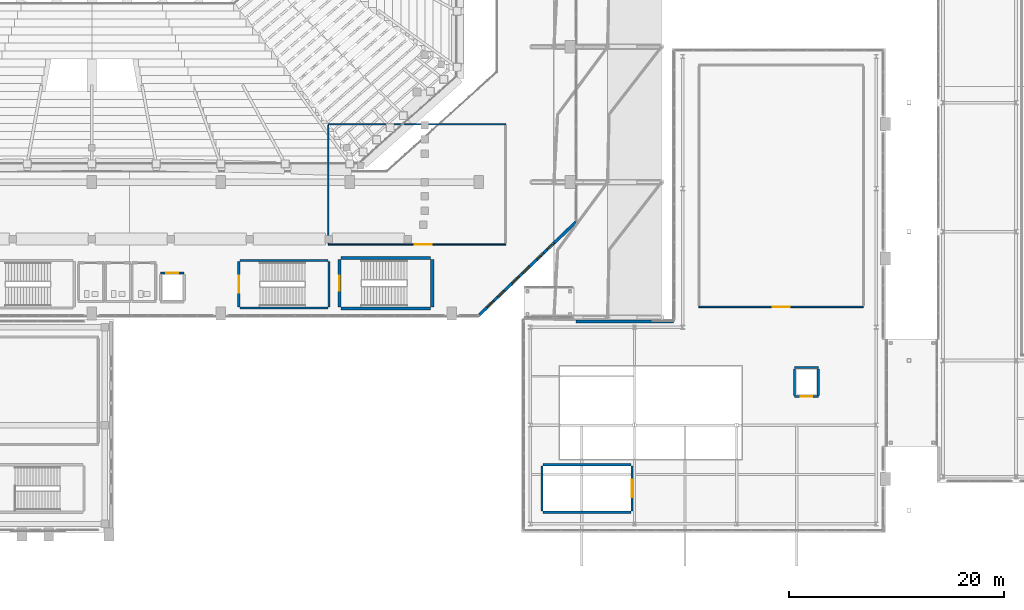
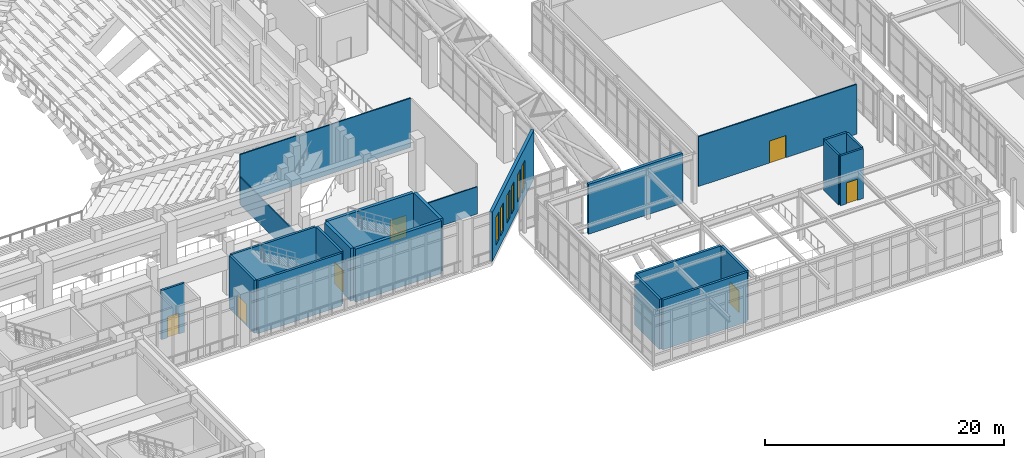
# One storey, part 127 of 159: 23 walls, 7 doors, 6 windows, 13 openings.
"""IFC4 building model written with IfcOpenShell, lengths in metres."""

from ifc_helpers import new_model, si_unit, derived_unit, direction, frame, frame_2d, origin, place, context, subcontext, project, spatial, rectangle, extrude, material, layer, layer_set, type_object, element, fill, save


model = new_model("IFC4")

# Units and contexts
model_context = context("Model", 3, precision=1e-05, world=origin(), true_north=direction((0.0, 1.0)))
body_context = subcontext(model_context, "Body", "Model", "MODEL_VIEW")
ifc_project = project(units=[si_unit("LENGTHUNIT", "METRE"), si_unit("AREAUNIT", "SQUARE_METRE"), si_unit("VOLUMEUNIT", "CUBIC_METRE"), si_unit("PLANEANGLEUNIT", "RADIAN"), si_unit("MASSUNIT", "GRAM", prefix="KILO"), derived_unit("THERMALTRANSMITTANCEUNIT", [(si_unit("MASSUNIT", "GRAM", prefix="KILO"), 1), (si_unit("TIMEUNIT", "SECOND"), -3), (si_unit("THERMODYNAMICTEMPERATUREUNIT", "KELVIN"), -1)])], contexts=[model_context])

# Site, building, storey
site_placement = place(None, origin())
site = spatial("IfcSite", under=ifc_project, at=site_placement, CompositionType="ELEMENT")
building_placement = place(site_placement, origin())
building = spatial("IfcBuilding", under=site, at=building_placement, Name="Valcora Ridge Arena", CompositionType="ELEMENT")
storey_placement = place(building_placement, frame((0.0, 0.0, 6.0)))
storey = spatial("IfcBuildingStorey", under=building, at=storey_placement, Name="L01", CompositionType="ELEMENT", Elevation=6.0)

# Wall, openings, windows
ifc_material_1 = material(Name="Bush-hammered Andean travertine on concrete backup C40/50", Category="masonry")
ifc_layer_1 = layer(ifc_material_1, 0.280029296875, Name="Bush-hammered Andean travertine on concrete backup C40/50")
ifc_layer_set_1 = layer_set([ifc_layer_1], Name="Bush-hammered Andean travertine on concrete backup C40/50")
wall_type_1 = type_object("IfcWallType", Name="TY-WALL-EW-TRV-28-50", PredefinedType="STANDARD", material=ifc_layer_set_1)
wall_1_placement = place(storey_placement, frame((94.0, 20.199951171875, 0.0), z_axis=(0.0, 0.0, 1.0), x_axis=(0.72091340775, 0.693025149995, 0.0)))
wall_1 = element("IfcWall", 1, at=wall_1_placement, inside=storey, type_object=wall_type_1, Name="EW-TRV-28-50 WAL-EW-0045", PredefinedType="STANDARD", context=body_context, shape_type="SweptSolid", body=[
    extrude(rectangle(XDim=12.553466796875, YDim=0.280029296875, at=frame_2d((6.27685546875, 0.0))), origin(), (0.0, 0.0, 1.0), 5.0400390625),
])
opening_1_placement = place(wall_1_placement, frame((1.10009765625, 0.0, 0.949951171875)))
opening_1 = element("IfcOpeningElement", 2, at=opening_1_placement, cuts=wall_1, Name="Opening W-GLAN-90X285", PredefinedType="OPENING", context=body_context, shape_type="SweptSolid", body=[
    extrude(rectangle(XDim=0.89990234375, YDim=2.85009765625, at=frame_2d((0.449951171875, 1.425048828125))), frame((0.0, 0.14990234375, 0.0), z_axis=(0.0, -1.0, 0.0), x_axis=(1.0, 0.0, 0.0)), (0.0, 0.0, 1.0), 0.300048828125),
])
opening_2_placement = place(wall_1_placement, frame((2.449951171875, 0.0, 0.949951171875)))
opening_2 = element("IfcOpeningElement", 3, at=opening_2_placement, cuts=wall_1, Name="Opening W-GLAN-90X285", PredefinedType="OPENING", context=body_context, shape_type="SweptSolid", body=[
    extrude(rectangle(XDim=0.89990234375, YDim=2.85009765625, at=frame_2d((0.449951171875, 1.425048828125))), frame((0.0, 0.14990234375, 0.0), z_axis=(0.0, -1.0, 0.0), x_axis=(1.0, 0.0, 0.0)), (0.0, 0.0, 1.0), 0.300048828125),
])
opening_3_placement = place(wall_1_placement, frame((4.300048828125, 0.0, 0.949951171875)))
opening_3 = element("IfcOpeningElement", 4, at=opening_3_placement, cuts=wall_1, Name="Opening W-GLAN-90X285", PredefinedType="OPENING", context=body_context, shape_type="SweptSolid", body=[
    extrude(rectangle(XDim=0.89990234375, YDim=2.85009765625, at=frame_2d((0.449951171875, 1.425048828125))), frame((0.0, 0.14990234375, 0.0), z_axis=(0.0, -1.0, 0.0), x_axis=(1.0, 0.0, 0.0)), (0.0, 0.0, 1.0), 0.300048828125),
])
opening_4_placement = place(wall_1_placement, frame((5.64990234375, 0.0, 0.949951171875)))
opening_4 = element("IfcOpeningElement", 5, at=opening_4_placement, cuts=wall_1, Name="Opening W-GLAN-90X285", PredefinedType="OPENING", context=body_context, shape_type="SweptSolid", body=[
    extrude(rectangle(XDim=0.89990234375, YDim=2.85009765625, at=frame_2d((0.449951171875, 1.425048828125))), frame((0.0, 0.14990234375, 0.0), z_axis=(0.0, -1.0, 0.0), x_axis=(1.0, 0.0, 0.0)), (0.0, 0.0, 1.0), 0.300048828125),
])
opening_5_placement = place(wall_1_placement, frame((7.5, 0.0, 0.949951171875)))
opening_5 = element("IfcOpeningElement", 6, at=opening_5_placement, cuts=wall_1, Name="Opening W-GLAN-90X285", PredefinedType="OPENING", context=body_context, shape_type="SweptSolid", body=[
    extrude(rectangle(XDim=0.89990234375, YDim=2.85009765625, at=frame_2d((0.449951171875, 1.425048828125))), frame((0.0, 0.14990234375, 0.0), z_axis=(0.0, -1.0, 0.0), x_axis=(1.0, 0.0, 0.0)), (0.0, 0.0, 1.0), 0.300048828125),
])
opening_6_placement = place(wall_1_placement, frame((8.85009765625, 0.0, 0.949951171875)))
opening_6 = element("IfcOpeningElement", 7, at=opening_6_placement, cuts=wall_1, Name="Opening W-GLAN-90X285", PredefinedType="OPENING", context=body_context, shape_type="SweptSolid", body=[
    extrude(rectangle(XDim=0.89990234375, YDim=2.85009765625, at=frame_2d((0.449951171875, 1.425048828125))), frame((0.0, 0.14990234375, 0.0), z_axis=(0.0, -1.0, 0.0), x_axis=(1.0, 0.0, 0.0)), (0.0, 0.0, 1.0), 0.300048828125),
])
ifc_material_2 = material(Name="Low-iron solar-control double glazing SHGC 0.28", Category="glass")
window_type = type_object("IfcWindowType", Name="TY-WINDOW-W-GLAN-90X285", PartitioningType="DOUBLE_PANEL_VERTICAL", PredefinedType="WINDOW", material=ifc_material_2)
window_1_placement = place(opening_1_placement, origin())
window_1 = element("IfcWindow", 8, at=window_1_placement, inside=storey, type_object=window_type, Name="W-GLAN-90X285 WIN-EX-0092", OverallHeight=2.85009765625, OverallWidth=0.89990234375, PartitioningType="DOUBLE_PANEL_VERTICAL", PredefinedType="WINDOW", context=body_context, shape_type="SweptSolid", body=[
    extrude(rectangle(XDim=0.89990234375, YDim=2.85009765625, at=frame_2d((0.449951171875, 1.425048828125))), frame((0.0, 0.030029296875, 0.0), z_axis=(0.0, -1.0, 0.0), x_axis=(1.0, 0.0, 0.0)), (0.0, 0.0, 1.0), 0.06005859375),
])
fill(opening_1, window_1)
window_2_placement = place(opening_2_placement, origin())
window_2 = element("IfcWindow", 9, at=window_2_placement, inside=storey, type_object=window_type, Name="W-GLAN-90X285 WIN-EX-0093", OverallHeight=2.85009765625, OverallWidth=0.89990234375, PartitioningType="DOUBLE_PANEL_VERTICAL", PredefinedType="WINDOW", context=body_context, shape_type="SweptSolid", body=[
    extrude(rectangle(XDim=0.89990234375, YDim=2.85009765625, at=frame_2d((0.449951171875, 1.425048828125))), frame((0.0, 0.030029296875, 0.0), z_axis=(0.0, -1.0, 0.0), x_axis=(1.0, 0.0, 0.0)), (0.0, 0.0, 1.0), 0.06005859375),
])
fill(opening_2, window_2)
window_3_placement = place(opening_3_placement, origin())
window_3 = element("IfcWindow", 10, at=window_3_placement, inside=storey, type_object=window_type, Name="W-GLAN-90X285 WIN-EX-0094", OverallHeight=2.85009765625, OverallWidth=0.89990234375, PartitioningType="DOUBLE_PANEL_VERTICAL", PredefinedType="WINDOW", context=body_context, shape_type="SweptSolid", body=[
    extrude(rectangle(XDim=0.89990234375, YDim=2.85009765625, at=frame_2d((0.449951171875, 1.425048828125))), frame((0.0, 0.030029296875, 0.0), z_axis=(0.0, -1.0, 0.0), x_axis=(1.0, 0.0, 0.0)), (0.0, 0.0, 1.0), 0.06005859375),
])
fill(opening_3, window_3)
window_4_placement = place(opening_4_placement, origin())
window_4 = element("IfcWindow", 11, at=window_4_placement, inside=storey, type_object=window_type, Name="W-GLAN-90X285 WIN-EX-0095", OverallHeight=2.85009765625, OverallWidth=0.89990234375, PartitioningType="DOUBLE_PANEL_VERTICAL", PredefinedType="WINDOW", context=body_context, shape_type="SweptSolid", body=[
    extrude(rectangle(XDim=0.89990234375, YDim=2.85009765625, at=frame_2d((0.449951171875, 1.425048828125))), frame((0.0, 0.030029296875, 0.0), z_axis=(0.0, -1.0, 0.0), x_axis=(1.0, 0.0, 0.0)), (0.0, 0.0, 1.0), 0.06005859375),
])
fill(opening_4, window_4)
window_5_placement = place(opening_5_placement, origin())
window_5 = element("IfcWindow", 12, at=window_5_placement, inside=storey, type_object=window_type, Name="W-GLAN-90X285 WIN-EX-0096", OverallHeight=2.85009765625, OverallWidth=0.89990234375, PartitioningType="DOUBLE_PANEL_VERTICAL", PredefinedType="WINDOW", context=body_context, shape_type="SweptSolid", body=[
    extrude(rectangle(XDim=0.89990234375, YDim=2.85009765625, at=frame_2d((0.449951171875, 1.425048828125))), frame((0.0, 0.030029296875, 0.0), z_axis=(0.0, -1.0, 0.0), x_axis=(1.0, 0.0, 0.0)), (0.0, 0.0, 1.0), 0.06005859375),
])
fill(opening_5, window_5)
window_6_placement = place(opening_6_placement, origin())
window_6 = element("IfcWindow", 13, at=window_6_placement, inside=storey, type_object=window_type, Name="W-GLAN-90X285 WIN-EX-0097", OverallHeight=2.85009765625, OverallWidth=0.89990234375, PartitioningType="DOUBLE_PANEL_VERTICAL", PredefinedType="WINDOW", context=body_context, shape_type="SweptSolid", body=[
    extrude(rectangle(XDim=0.89990234375, YDim=2.85009765625, at=frame_2d((0.449951171875, 1.425048828125))), frame((0.0, 0.030029296875, 0.0), z_axis=(0.0, -1.0, 0.0), x_axis=(1.0, 0.0, 0.0)), (0.0, 0.0, 1.0), 0.06005859375),
])
fill(opening_6, window_6)

# Wall
ifc_layer_2 = layer(ifc_material_1, 0.280029296875, Name="Bush-hammered Andean travertine on concrete backup C40/50")
ifc_layer_set_2 = layer_set([ifc_layer_2], Name="Bush-hammered Andean travertine on concrete backup C40/50")
wall_type_2 = type_object("IfcWallType", Name="TY-WALL-EW-TRV-28-51", PredefinedType="STANDARD", material=ifc_layer_set_2)
wall_2_placement = place(storey_placement, frame((103.050048828125, 19.64990234375, 0.0), z_axis=(0.0, 0.0, 1.0), x_axis=(1.0, 0.0, 0.0)))
element("IfcWall", 14, at=wall_2_placement, inside=storey, type_object=wall_type_2, Name="EW-TRV-28-51 WAL-EW-0005", PredefinedType="STANDARD", context=body_context, shape_type="SweptSolid", body=[
    extrude(rectangle(XDim=9.099853515625, YDim=0.280029296875, at=frame_2d((4.5498046875, 0.0))), origin(), (0.0, 0.0, 1.0), 5.10009765625),
])

# Wall, opening, door
ifc_material_3 = material(Name="Acoustic metal-stud gypsum partition 120 mm")
ifc_layer_3 = layer(ifc_material_3, 0.1201171875, Name="Acoustic metal-stud gypsum partition 120 mm")
ifc_layer_set_3 = layer_set([ifc_layer_3], Name="Acoustic metal-stud gypsum partition 120 mm")
wall_type_3 = type_object("IfcWallType", Name="TY-WALL-IW-PART-120", PredefinedType="PARTITIONING", material=ifc_layer_set_3)
wall_3_placement = place(storey_placement, frame((80.0, 26.800048828125, 0.0), z_axis=(0.0, 0.0, 1.0), x_axis=(1.0, 0.0, 0.0)))
wall_3 = element("IfcWall", 15, at=wall_3_placement, inside=storey, type_object=wall_type_3, Name="IW-PART-120 WAL-IN-0289", PredefinedType="PARTITIONING", context=body_context, shape_type="SweptSolid", body=[
    extrude(rectangle(XDim=16.5, YDim=0.1201171875, at=frame_2d((8.25, 0.0))), origin(), (0.0, 0.0, 1.0), 2.77490234375),
])
opening_7_placement = place(wall_3_placement, frame((8.050048828125, 0.0, 0.0)))
opening_7 = element("IfcOpeningElement", 16, at=opening_7_placement, cuts=wall_3, Name="Opening D-PUB-1600", PredefinedType="OPENING", context=body_context, shape_type="SweptSolid", body=[
    extrude(rectangle(XDim=1.60009765625, YDim=2.25, at=frame_2d((0.800048828125, 1.125))), frame((0.0, 0.070068359375, 0.0), z_axis=(0.0, -1.0, 0.0), x_axis=(1.0, 0.0, 0.0)), (0.0, 0.0, 1.0), 0.14013671875),
])
ifc_material_4 = material(Name="Solid-core acoustic timber veneer door leaf", Category="wood")
door_type_1 = type_object("IfcDoorType", Name="TY-DOOR-D-PUB-1600", OperationType="NOTDEFINED", PredefinedType="DOOR", material=ifc_material_4)
door_1_placement = place(opening_7_placement, origin())
door_1 = element("IfcDoor", 17, at=door_1_placement, inside=storey, type_object=door_type_1, Name="D-PUB-1600 DOR-IN-0077", OperationType="DOUBLE_DOOR_SINGLE_SWING", OverallHeight=2.25, OverallWidth=1.60009765625, PredefinedType="DOOR", context=body_context, shape_type="SweptSolid", body=[
    extrude(rectangle(XDim=1.60009765625, YDim=2.25, at=frame_2d((0.800048828125, 1.125))), frame((0.0, 0.02490234375, 0.0), z_axis=(0.0, -1.0, 0.0), x_axis=(1.0, 0.0, 0.0)), (0.0, 0.0, 1.0), 0.050048828125),
])
fill(opening_7, door_1)

# Walls
wall_4_placement = place(storey_placement, frame((80.0, 38.0, 0.0), z_axis=(0.0, 0.0, 1.0), x_axis=(1.0, 0.0, 0.0)))
element("IfcWall", 18, at=wall_4_placement, inside=storey, type_object=wall_type_3, Name="IW-PART-120 WAL-IN-0290", PredefinedType="PARTITIONING", context=body_context, shape_type="SweptSolid", body=[
    extrude(rectangle(XDim=16.5, YDim=0.1201171875, at=frame_2d((8.25, 0.0))), origin(), (0.0, 0.0, 1.0), 5.0400390625),
])
wall_5_placement = place(storey_placement, frame((80.0, 26.919921875, 0.0), z_axis=(0.0, 0.0, 1.0), x_axis=(0.0, 1.0, 0.0)))
element("IfcWall", 19, at=wall_5_placement, inside=storey, type_object=wall_type_3, Name="IW-PART-120 WAL-IN-0291", PredefinedType="PARTITIONING", context=body_context, shape_type="SweptSolid", body=[
    extrude(rectangle(XDim=10.9599609375, YDim=0.1201171875, at=frame_2d((5.47998046875, 0.0))), origin(), (0.0, 0.0, 1.0), 2.77490234375),
])

# Wall, opening, door
wall_6_placement = place(storey_placement, frame((114.5, 21.0, 0.0), z_axis=(0.0, 0.0, 1.0), x_axis=(1.0, 0.0, 0.0)))
wall_6 = element("IfcWall", 20, at=wall_6_placement, inside=storey, type_object=wall_type_3, Name="IW-PART-120 WAL-IN-0313", PredefinedType="PARTITIONING", context=body_context, shape_type="SweptSolid", body=[
    extrude(rectangle(XDim=15.300048828125, YDim=0.1201171875, at=frame_2d((7.64990234375, 0.0))), origin(), (0.0, 0.0, 1.0), 5.10009765625),
])
opening_8_placement = place(wall_6_placement, frame((6.85009765625, 0.0, 0.0)))
opening_8 = element("IfcOpeningElement", 21, at=opening_8_placement, cuts=wall_6, Name="Opening D-PUB-1600", PredefinedType="OPENING", context=body_context, shape_type="SweptSolid", body=[
    extrude(rectangle(XDim=1.60009765625, YDim=2.25, at=frame_2d((0.800048828125, 1.125))), frame((0.0, 0.070068359375, 0.0), z_axis=(0.0, -1.0, 0.0), x_axis=(1.0, 0.0, 0.0)), (0.0, 0.0, 1.0), 0.14013671875),
])
door_2_placement = place(opening_8_placement, origin())
door_2 = element("IfcDoor", 22, at=door_2_placement, inside=storey, type_object=door_type_1, Name="D-PUB-1600 DOR-IN-0083", OperationType="DOUBLE_DOOR_SINGLE_SWING", OverallHeight=2.25, OverallWidth=1.60009765625, PredefinedType="DOOR", context=body_context, shape_type="SweptSolid", body=[
    extrude(rectangle(XDim=1.60009765625, YDim=2.25, at=frame_2d((0.800048828125, 1.125))), frame((0.0, 0.02490234375, 0.0), z_axis=(0.0, -1.0, 0.0), x_axis=(1.0, 0.0, 0.0)), (0.0, 0.0, 1.0), 0.050048828125),
])
fill(opening_8, door_2)

ifc_material_5 = material(Name="Concrete C40/50", Category="concrete")
ifc_layer_4 = layer(ifc_material_5, 0.199951171875, Name="Concrete C40/50")
ifc_layer_set_4 = layer_set([ifc_layer_4], Name="Concrete C40/50")
wall_type_4 = type_object("IfcWallType", Name="TY-WALL-IW-SHF-200", PredefinedType="STANDARD", material=ifc_layer_set_4)
wall_7_placement = place(storey_placement, frame((64.39990234375, 24.14990234375, 0.0), z_axis=(0.0, 0.0, 1.0), x_axis=(1.0, 0.0, 0.0)))
wall_7 = element("IfcWall", 23, at=wall_7_placement, inside=storey, type_object=wall_type_4, Name="IW-SHF-200 WAL-SH-0090", PredefinedType="STANDARD", context=body_context, shape_type="SweptSolid", body=[
    extrude(rectangle(XDim=2.2001953125, YDim=0.199951171875, at=frame_2d((1.10009765625, 0.0))), origin(), (0.0, 0.0, 1.0), 5.0400390625),
])
opening_9_placement = place(wall_7_placement, frame((0.550048828125, 0.0, 0.0)))
opening_9 = element("IfcOpeningElement", 24, at=opening_9_placement, cuts=wall_7, Name="Opening LD-PAX", PredefinedType="OPENING", context=body_context, shape_type="SweptSolid", body=[
    extrude(rectangle(XDim=1.10009765625, YDim=2.14990234375, at=frame_2d((0.550048828125, 1.074951171875))), frame((0.0, 0.10986328125, 0.0), z_axis=(0.0, -1.0, 0.0), x_axis=(1.0, 0.0, 0.0)), (0.0, 0.0, 1.0), 0.219970703125),
])
ifc_material_6 = material(Name="Insulated fire-rated hollow metal steel", Category="steel")
door_type_2 = type_object("IfcDoorType", Name="TY-DOOR-LD-PAX", OperationType="NOTDEFINED", PredefinedType="DOOR", material=ifc_material_6)
door_3_placement = place(opening_9_placement, origin())
door_3 = element("IfcDoor", 25, at=door_3_placement, inside=storey, type_object=door_type_2, Name="PL2 Landing Door L01", OperationType="SLIDING_TO_LEFT", OverallHeight=2.14990234375, OverallWidth=1.10009765625, PredefinedType="DOOR", context=body_context, shape_type="SweptSolid", body=[
    extrude(rectangle(XDim=1.10009765625, YDim=2.14990234375, at=frame_2d((0.550048828125, 1.074951171875))), frame((0.0, 0.02490234375, 0.0), z_axis=(0.0, -1.0, 0.0), x_axis=(1.0, 0.0, 0.0)), (0.0, 0.0, 1.0), 0.050048828125),
])
fill(opening_9, door_3)

wall_8_placement = place(storey_placement, frame((123.39990234375, 12.64990234375, 0.0), z_axis=(0.0, 0.0, 1.0), x_axis=(1.0, 0.0, 0.0)))
wall_8 = element("IfcWall", 26, at=wall_8_placement, inside=storey, type_object=wall_type_4, Name="IW-SHF-200 WAL-SH-0157", PredefinedType="STANDARD", context=body_context, shape_type="SweptSolid", body=[
    extrude(rectangle(XDim=2.2001953125, YDim=0.199951171875, at=frame_2d((1.10009765625, 0.0))), origin(), (0.0, 0.0, 1.0), 5.10009765625),
])
opening_10_placement = place(wall_8_placement, frame((0.550048828125, 0.0, 0.0)))
opening_10 = element("IfcOpeningElement", 27, at=opening_10_placement, cuts=wall_8, Name="Opening LD-PAX", PredefinedType="OPENING", context=body_context, shape_type="SweptSolid", body=[
    extrude(rectangle(XDim=1.10009765625, YDim=2.14990234375, at=frame_2d((0.550048828125, 1.074951171875))), frame((0.0, 0.10986328125, 0.0), z_axis=(0.0, -1.0, 0.0), x_axis=(1.0, 0.0, 0.0)), (0.0, 0.0, 1.0), 0.219970703125),
])
door_4_placement = place(opening_10_placement, origin())
door_4 = element("IfcDoor", 28, at=door_4_placement, inside=storey, type_object=door_type_2, Name="PL5 Landing Door L01", OperationType="SLIDING_TO_LEFT", OverallHeight=2.14990234375, OverallWidth=1.10009765625, PredefinedType="DOOR", context=body_context, shape_type="SweptSolid", body=[
    extrude(rectangle(XDim=1.10009765625, YDim=2.14990234375, at=frame_2d((0.550048828125, 1.074951171875))), frame((0.0, 0.02490234375, 0.0), z_axis=(0.0, -1.0, 0.0), x_axis=(1.0, 0.0, 0.0)), (0.0, 0.0, 1.0), 0.050048828125),
])
fill(opening_10, door_4)

# Walls
wall_9_placement = place(storey_placement, frame((123.39990234375, 15.35009765625, 0.0), z_axis=(0.0, 0.0, 1.0), x_axis=(1.0, 0.0, 0.0)))
element("IfcWall", 29, at=wall_9_placement, inside=storey, type_object=wall_type_4, Name="IW-SHF-200 WAL-SH-0158", PredefinedType="STANDARD", context=body_context, shape_type="SweptSolid", body=[
    extrude(rectangle(XDim=2.2001953125, YDim=0.199951171875, at=frame_2d((1.10009765625, 0.0))), origin(), (0.0, 0.0, 1.0), 5.10009765625),
])
for number, where, z_axis, x_axis, name in (
    (30, (123.39990234375, 12.77001953125, 0.0), (0.0, 0.0, 1.0), (0.0, 1.0, 0.0), "IW-SHF-200 WAL-SH-0159"),
    (31, (125.60009765625, 12.77001953125, 0.0), (0.0, 0.0, 1.0), (0.0, 1.0, 0.0), "IW-SHF-200 WAL-SH-0160"),
):
    element("IfcWall", number, at=place(storey_placement, frame(where, z_axis=z_axis, x_axis=x_axis)), inside=storey, type_object=wall_type_4, Name=name, PredefinedType="STANDARD", context=body_context, shape_type="SweptSolid", body=[
        extrude(rectangle(XDim=2.4599609375, YDim=0.199951171875, at=frame_2d((1.22998046875, 0.0))), origin(), (0.0, 0.0, 1.0), 5.10009765625),
    ])
ifc_material_7 = material(Name="Concrete C45/55", Category="concrete")
ifc_layer_5 = layer(ifc_material_7, 0.300048828125, Name="Concrete C45/55")
ifc_layer_set_5 = layer_set([ifc_layer_5], Name="Concrete C45/55")
wall_type_5 = type_object("IfcWallType", Name="TY-WALL-SW-C300-L", PredefinedType="SHEAR", material=ifc_layer_set_5)
for number, where, z_axis, x_axis, name in (
    (32, (81.199951171875, 20.85009765625, 0.0), (0.0, 0.0, 1.0), (1.0, 0.0, 0.0), "SW-C300-L WAL-CR-0037"),
    (33, (81.199951171875, 25.550048828125, 0.0), (0.0, 0.0, 1.0), (1.0, 0.0, 0.0), "SW-C300-L WAL-CR-0038"),
):
    element("IfcWall", number, at=place(storey_placement, frame(where, z_axis=z_axis, x_axis=x_axis)), inside=storey, type_object=wall_type_5, Name=name, PredefinedType="SHEAR", context=body_context, shape_type="SweptSolid", body=[
        extrude(rectangle(XDim=8.320068359375, YDim=0.300048828125, at=frame_2d((4.16015625, 0.0))), origin(), (0.0, 0.0, 1.0), 5.39990234375),
    ])

# Wall, opening, door
ifc_layer_6 = layer(ifc_material_7, 0.300048828125, Name="Concrete C45/55")
ifc_layer_set_6 = layer_set([ifc_layer_6], Name="Concrete C45/55")
wall_type_6 = type_object("IfcWallType", Name="TY-WALL-SW-C300-S", PredefinedType="SHEAR", material=ifc_layer_set_6)
wall_10_placement = place(storey_placement, frame((81.050048828125, 21.0, 0.0), z_axis=(0.0, 0.0, 1.0), x_axis=(0.0, 1.0, 0.0)))
wall_10 = element("IfcWall", 34, at=wall_10_placement, inside=storey, type_object=wall_type_6, Name="SW-C300-S WAL-CR-0039", PredefinedType="SHEAR", context=body_context, shape_type="SweptSolid", body=[
    extrude(rectangle(XDim=4.39990234375, YDim=0.300048828125, at=frame_2d((2.199951171875, 0.0))), origin(), (0.0, 0.0, 1.0), 5.39990234375),
])
opening_11_placement = place(wall_10_placement, frame((1.5, 0.0, 0.0)))
opening_11 = element("IfcOpeningElement", 35, at=opening_11_placement, cuts=wall_10, Name="Opening FD-01", PredefinedType="OPENING", context=body_context, shape_type="SweptSolid", body=[
    extrude(rectangle(XDim=1.39990234375, YDim=2.199951171875, at=frame_2d((0.699951171875, 1.10009765625))), frame((0.0, 0.159912109375, 0.0), z_axis=(0.0, -1.0, 0.0), x_axis=(1.0, 0.0, 0.0)), (0.0, 0.0, 1.0), 0.320068359375),
])
ifc_material_8 = material(Name="Insulated fire-rated steel door leaf", Category="steel")
door_type_3 = type_object("IfcDoorType", Name="TY-DOOR-FD-01", OperationType="NOTDEFINED", PredefinedType="DOOR", material=ifc_material_8)
door_5_placement = place(opening_11_placement, origin())
door_5 = element("IfcDoor", 36, at=door_5_placement, inside=storey, type_object=door_type_3, Name="FD-01 DOR-ST-0010", OperationType="DOUBLE_DOOR_SINGLE_SWING", OverallHeight=2.199951171875, OverallWidth=1.39990234375, PredefinedType="DOOR", context=body_context, shape_type="SweptSolid", body=[
    extrude(rectangle(XDim=1.39990234375, YDim=2.199951171875, at=frame_2d((0.699951171875, 1.10009765625))), frame((0.0, 0.02490234375, 0.0), z_axis=(0.0, -1.0, 0.0), x_axis=(1.0, 0.0, 0.0)), (0.0, 0.0, 1.0), 0.050048828125),
])
fill(opening_11, door_5)

# Walls
wall_11_placement = place(storey_placement, frame((89.669921875, 21.0, 0.0), z_axis=(0.0, 0.0, 1.0), x_axis=(0.0, 1.0, 0.0)))
element("IfcWall", 37, at=wall_11_placement, inside=storey, type_object=wall_type_6, Name="SW-C300-S WAL-CR-0040", PredefinedType="SHEAR", context=body_context, shape_type="SweptSolid", body=[
    extrude(rectangle(XDim=4.39990234375, YDim=0.300048828125, at=frame_2d((2.199951171875, 0.0))), origin(), (0.0, 0.0, 1.0), 5.39990234375),
])
ifc_material_9 = material(Name="Fire-resisting reinforced concrete enclosure C40/50 200 mm", Category="concrete")
ifc_layer_7 = layer(ifc_material_9, 0.219970703125, Name="Fire-resisting reinforced concrete enclosure C40/50 200 mm")
ifc_layer_set_7 = layer_set([ifc_layer_7], Name="Fire-resisting reinforced concrete enclosure C40/50 200 mm")
wall_type_7 = type_object("IfcWallType", Name="TY-WALL-SW-ES-220", PredefinedType="SHEAR", material=ifc_layer_set_7)
for number, where, z_axis, x_axis, name in (
    (38, (71.800048828125, 20.889892578125, 0.0), (0.0, 0.0, 1.0), (1.0, 0.0, 0.0), "SW-ES-220 WAL-ES-0033"),
    (39, (71.800048828125, 25.31005859375, 0.0), (0.0, 0.0, 1.0), (1.0, 0.0, 0.0), "SW-ES-220 WAL-ES-0034"),
):
    element("IfcWall", number, at=place(storey_placement, frame(where, z_axis=z_axis, x_axis=x_axis)), inside=storey, type_object=wall_type_7, Name=name, PredefinedType="SHEAR", context=body_context, shape_type="SweptSolid", body=[
        extrude(rectangle(XDim=8.159912109375, YDim=0.219970703125, at=frame_2d((4.080078125, 0.0))), origin(), (0.0, 0.0, 1.0), 5.39990234375),
    ])

# Wall, opening, door
wall_12_placement = place(storey_placement, frame((71.68994140625, 21.0, 0.0), z_axis=(0.0, 0.0, 1.0), x_axis=(0.0, 1.0, 0.0)))
wall_12 = element("IfcWall", 40, at=wall_12_placement, inside=storey, type_object=wall_type_7, Name="SW-ES-220 WAL-ES-0035", PredefinedType="SHEAR", context=body_context, shape_type="SweptSolid", body=[
    extrude(rectangle(XDim=4.199951171875, YDim=0.219970703125, at=frame_2d((2.10009765625, 0.0))), origin(), (0.0, 0.0, 1.0), 5.39990234375),
])
opening_12_placement = place(wall_12_placement, frame((1.300048828125, 0.0, 0.0)))
opening_12 = element("IfcOpeningElement", 41, at=opening_12_placement, cuts=wall_12, Name="Opening FD-02", PredefinedType="OPENING", context=body_context, shape_type="SweptSolid", body=[
    extrude(rectangle(XDim=1.60009765625, YDim=2.199951171875, at=frame_2d((0.800048828125, 1.10009765625))), frame((0.0, 0.119873046875, 0.0), z_axis=(0.0, -1.0, 0.0), x_axis=(1.0, 0.0, 0.0)), (0.0, 0.0, 1.0), 0.239990234375),
])
door_type_4 = type_object("IfcDoorType", Name="TY-DOOR-FD-02", OperationType="NOTDEFINED", PredefinedType="DOOR", material=ifc_material_8)
door_6_placement = place(opening_12_placement, origin())
door_6 = element("IfcDoor", 42, at=door_6_placement, inside=storey, type_object=door_type_4, Name="FD-02 DOR-ES-0007", OperationType="DOUBLE_DOOR_SINGLE_SWING", OverallHeight=2.199951171875, OverallWidth=1.60009765625, PredefinedType="DOOR", context=body_context, shape_type="SweptSolid", body=[
    extrude(rectangle(XDim=1.60009765625, YDim=2.199951171875, at=frame_2d((0.800048828125, 1.10009765625))), frame((0.0, 0.02490234375, 0.0), z_axis=(0.0, -1.0, 0.0), x_axis=(1.0, 0.0, 0.0)), (0.0, 0.0, 1.0), 0.050048828125),
])
fill(opening_12, door_6)

# Walls
wall_13_placement = place(storey_placement, frame((80.070068359375, 21.0, 0.0), z_axis=(0.0, 0.0, 1.0), x_axis=(0.0, 1.0, 0.0)))
element("IfcWall", 43, at=wall_13_placement, inside=storey, type_object=wall_type_7, Name="SW-ES-220 WAL-ES-0036", PredefinedType="SHEAR", context=body_context, shape_type="SweptSolid", body=[
    extrude(rectangle(XDim=4.199951171875, YDim=0.219970703125, at=frame_2d((2.10009765625, 0.0))), origin(), (0.0, 0.0, 1.0), 5.39990234375),
])
for number, where, z_axis, x_axis, name in (
    (44, (100.0, 1.889892578125, 0.0), (0.0, 0.0, 1.0), (1.0, 0.0, 0.0), "SW-ES-220 WAL-ES-0209"),
    (45, (100.0, 6.31005859375, 0.0), (0.0, 0.0, 1.0), (1.0, 0.0, 0.0), "SW-ES-220 WAL-ES-0210"),
):
    element("IfcWall", number, at=place(storey_placement, frame(where, z_axis=z_axis, x_axis=x_axis)), inside=storey, type_object=wall_type_7, Name=name, PredefinedType="SHEAR", context=body_context, shape_type="SweptSolid", body=[
        extrude(rectangle(XDim=8.159912109375, YDim=0.219970703125, at=frame_2d((4.080078125, 0.0))), origin(), (0.0, 0.0, 1.0), 5.10009765625),
    ])
wall_14_placement = place(storey_placement, frame((99.889892578125, 2.0, 0.0), z_axis=(0.0, 0.0, 1.0), x_axis=(0.0, 1.0, 0.0)))
element("IfcWall", 46, at=wall_14_placement, inside=storey, type_object=wall_type_7, Name="SW-ES-220 WAL-ES-0211", PredefinedType="SHEAR", context=body_context, shape_type="SweptSolid", body=[
    extrude(rectangle(XDim=4.199951171875, YDim=0.219970703125, at=frame_2d((2.10009765625, 0.0))), origin(), (0.0, 0.0, 1.0), 5.10009765625),
])

# Wall, opening, door
wall_15_placement = place(storey_placement, frame((108.27001953125, 2.0, 0.0), z_axis=(0.0, 0.0, 1.0), x_axis=(0.0, 1.0, 0.0)))
wall_15 = element("IfcWall", 47, at=wall_15_placement, inside=storey, type_object=wall_type_7, Name="SW-ES-220 WAL-ES-0212", PredefinedType="SHEAR", context=body_context, shape_type="SweptSolid", body=[
    extrude(rectangle(XDim=4.199951171875, YDim=0.219970703125, at=frame_2d((2.10009765625, 0.0))), origin(), (0.0, 0.0, 1.0), 5.10009765625),
])
opening_13_placement = place(wall_15_placement, frame((1.300048828125, 0.0, 0.0)))
opening_13 = element("IfcOpeningElement", 48, at=opening_13_placement, cuts=wall_15, Name="Opening FD-02", PredefinedType="OPENING", context=body_context, shape_type="SweptSolid", body=[
    extrude(rectangle(XDim=1.60009765625, YDim=2.199951171875, at=frame_2d((0.800048828125, 1.10009765625))), frame((0.0, 0.119873046875, 0.0), z_axis=(0.0, -1.0, 0.0), x_axis=(1.0, 0.0, 0.0)), (0.0, 0.0, 1.0), 0.239990234375),
])
door_7_placement = place(opening_13_placement, origin())
door_7 = element("IfcDoor", 49, at=door_7_placement, inside=storey, type_object=door_type_4, Name="FD-02 DOR-ES-0047", OperationType="DOUBLE_DOOR_SINGLE_SWING", OverallHeight=2.199951171875, OverallWidth=1.60009765625, PredefinedType="DOOR", context=body_context, shape_type="SweptSolid", body=[
    extrude(rectangle(XDim=1.60009765625, YDim=2.199951171875, at=frame_2d((0.800048828125, 1.10009765625))), frame((0.0, 0.02490234375, 0.0), z_axis=(0.0, -1.0, 0.0), x_axis=(1.0, 0.0, 0.0)), (0.0, 0.0, 1.0), 0.050048828125),
])
fill(opening_13, door_7)

save(model, "model.ifc")
